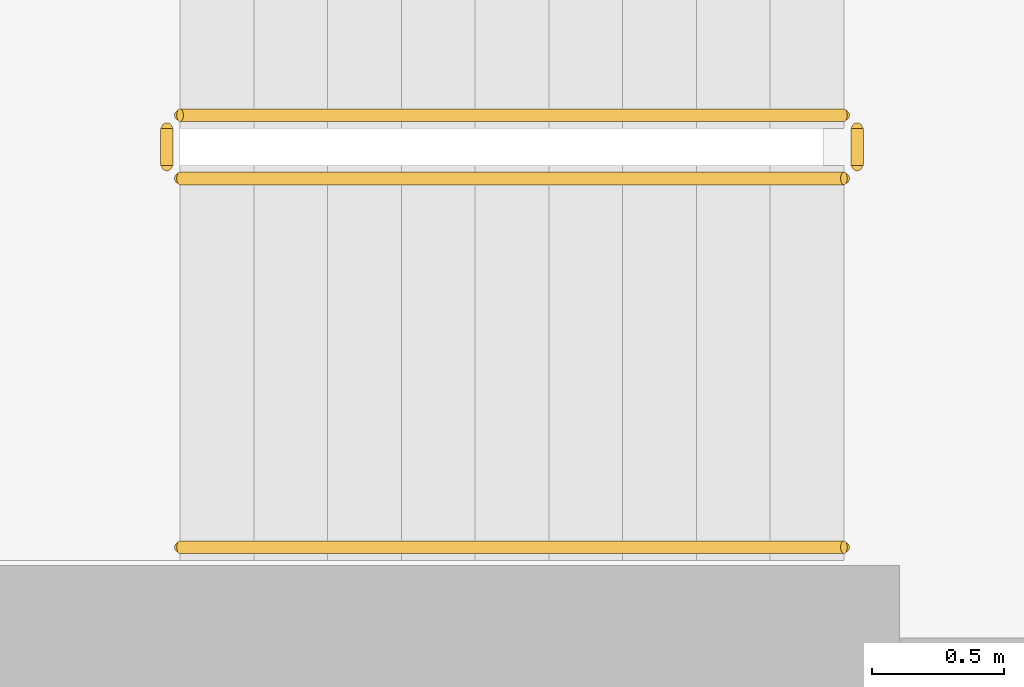
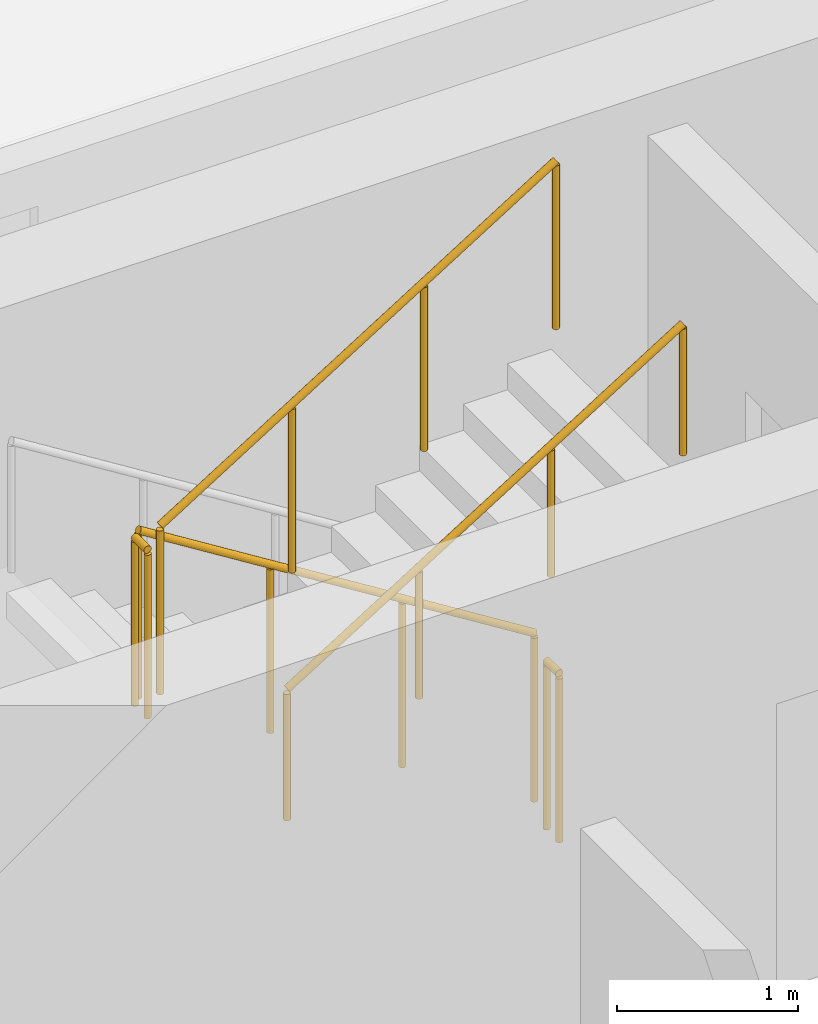
# One storey, part 25 of 27: 5 railings.
"""IFC4 building model written with IfcOpenShell, lengths in metres."""

from ifc_helpers import new_model, si_unit, derived_unit, direction, frame, origin, origin_2d, place, context, subcontext, project, spatial, circle, extrude, material, type_object, element, save


model = new_model("IFC4")

# Units and contexts
model_context = context("Model", 3, precision=1e-05, world=origin(), true_north=direction((0.0, 1.0)))
body_context = subcontext(model_context, "Body", "Model", "MODEL_VIEW")
ifc_project = project(units=[si_unit("LENGTHUNIT", "METRE"), si_unit("AREAUNIT", "SQUARE_METRE"), si_unit("VOLUMEUNIT", "CUBIC_METRE"), si_unit("PLANEANGLEUNIT", "RADIAN"), si_unit("MASSUNIT", "GRAM", prefix="KILO"), derived_unit("THERMALTRANSMITTANCEUNIT", [(si_unit("POWERUNIT", "WATT"), 1), (si_unit("LENGTHUNIT", "METRE"), -2), (si_unit("THERMODYNAMICTEMPERATUREUNIT", "KELVIN"), -1)])], contexts=[model_context])

# Site, building, storey
site_placement = place(None, origin())
site = spatial("IfcSite", under=ifc_project, at=site_placement, CompositionType="ELEMENT")
building_placement = place(site_placement, origin())
building = spatial("IfcBuilding", under=site, at=building_placement, Name="Kivonza Crest Hotel", CompositionType="ELEMENT")
storey_placement = place(building_placement, frame((0.0, 0.0, 34.5)))
storey = spatial("IfcBuildingStorey", under=building, at=storey_placement, Name="L08", CompositionType="ELEMENT", Elevation=34.5)

# Railings
ifc_material_1 = material(Name="Brushed stainless steel handrail", Category="steel")
railing_type_1 = type_object("IfcRailingType", Name="RL-HAND-900", PredefinedType="HANDRAIL", material=ifc_material_1)
railing_1_placement = place(storey_placement, frame((9.719970703125, 33.070068359375, 1.925048828125)))
element("IfcRailing", 1, at=railing_1_placement, inside=storey, type_object=railing_type_1, Name="L08 ST-T1-N stair handrail 2", PredefinedType="HANDRAIL", context=body_context, shape_type="SweptSolid", body=[
    extrude(circle(Radius=0.02392578125, at=origin_2d()), frame((0.0, 0.0, 0.8759765625), z_axis=(0.848007534815, 0.0, 0.529984170421), x_axis=(0.0, 1.0, 0.0)), (0.0, 0.0, 1.0), 2.9716796875),
    extrude(circle(Radius=0.02099609375, at=origin_2d()), origin(), (0.0, 0.0, 1.0), 0.851806640625),
    extrude(circle(Radius=0.02099609375, at=origin_2d()), frame((0.840087890625, 0.0, 0.52490234375)), (0.0, 0.0, 1.0), 0.851806640625),
    extrude(circle(Radius=0.02099609375, at=origin_2d()), frame((1.679931640625, 0.0, 1.050048828125)), (0.0, 0.0, 1.0), 0.851806640625),
    extrude(circle(Radius=0.02099609375, at=origin_2d()), frame((2.52001953125, 0.0, 1.574951171875)), (0.0, 0.0, 1.0), 0.851806640625),
])
ifc_material_2 = material(Name="Painted steel balustrade", Category="steel")
railing_type_2 = type_object("IfcRailingType", Name="RL-STAIR-1150", PredefinedType="BALUSTRADE", material=ifc_material_2)
railing_2_placement = place(storey_placement, frame((12.239990234375, 34.7099609375, 0.175048828125)))
element("IfcRailing", 2, at=railing_2_placement, inside=storey, type_object=railing_type_2, Name="L08 ST-T1-N stair guard 1", PredefinedType="BALUSTRADE", context=body_context, shape_type="SweptSolid", body=[
    extrude(circle(Radius=0.02392578125, at=origin_2d()), frame((0.0, 0.0, 1.1259765625), z_axis=(-0.848007534815, 0.0, 0.529984170421), x_axis=(0.0, -1.0, 0.0)), (0.0, 0.0, 1.0), 2.9716796875),
    extrude(circle(Radius=0.02099609375, at=origin_2d()), origin(), (0.0, 0.0, 1.0), 1.101806640625),
    extrude(circle(Radius=0.02099609375, at=origin_2d()), frame((-0.840087890625, 0.0, 0.52490234375)), (0.0, 0.0, 1.0), 1.101806640625),
    extrude(circle(Radius=0.02099609375, at=origin_2d()), frame((-1.679931640625, 0.0, 1.050048828125)), (0.0, 0.0, 1.0), 1.101806640625),
    extrude(circle(Radius=0.02099609375, at=origin_2d()), frame((-2.52001953125, 0.0, 1.574951171875)), (0.0, 0.0, 1.0), 1.101806640625),
])
railing_3_placement = place(storey_placement, frame((9.669921875, 34.659912109375, 1.75)))
element("IfcRailing", 3, at=railing_3_placement, inside=storey, type_object=railing_type_2, Name="L08 ST-T1-N stair guard 2", PredefinedType="BALUSTRADE", context=body_context, shape_type="SweptSolid", body=[
    extrude(circle(Radius=0.02392578125, at=origin_2d()), frame((0.0, 0.0, 1.1259765625), z_axis=(0.0, -1.0, 0.0), x_axis=(1.0, 0.0, 0.0)), (0.0, 0.0, 1.0), 0.139892578125),
    extrude(circle(Radius=0.02099609375, at=origin_2d()), origin(), (0.0, 0.0, 1.0), 1.101806640625),
    extrude(circle(Radius=0.02099609375, at=origin_2d()), frame((0.0, -0.139892578125, 0.0)), (0.0, 0.0, 1.0), 1.101806640625),
])
railing_4_placement = place(storey_placement, frame((9.719970703125, 34.469970703125, 1.925048828125)))
element("IfcRailing", 4, at=railing_4_placement, inside=storey, type_object=railing_type_2, Name="L08 ST-T1-N stair guard 3", PredefinedType="BALUSTRADE", context=body_context, shape_type="SweptSolid", body=[
    extrude(circle(Radius=0.02392578125, at=origin_2d()), frame((0.0, 0.0, 1.1259765625), z_axis=(0.848007534815, 0.0, 0.529984170421), x_axis=(0.0, 1.0, 0.0)), (0.0, 0.0, 1.0), 2.9716796875),
    extrude(circle(Radius=0.02099609375, at=origin_2d()), origin(), (0.0, 0.0, 1.0), 1.101806640625),
    extrude(circle(Radius=0.02099609375, at=origin_2d()), frame((0.840087890625, 0.0, 0.52490234375)), (0.0, 0.0, 1.0), 1.101806640625),
    extrude(circle(Radius=0.02099609375, at=origin_2d()), frame((1.679931640625, 0.0, 1.050048828125)), (0.0, 0.0, 1.0), 1.101806640625),
    extrude(circle(Radius=0.02099609375, at=origin_2d()), frame((2.52001953125, 0.0, 1.574951171875)), (0.0, 0.0, 1.0), 1.101806640625),
])
railing_5_placement = place(storey_placement, frame((12.2900390625, 34.659912109375, 0.0)))
element("IfcRailing", 5, at=railing_5_placement, inside=storey, type_object=railing_type_2, Name="L08 ST-T1-N stair guard 4", PredefinedType="BALUSTRADE", context=body_context, shape_type="SweptSolid", body=[
    extrude(circle(Radius=0.02392578125, at=origin_2d()), frame((0.0, 0.0, 1.1259765625), z_axis=(0.0, -1.0, 0.0), x_axis=(1.0, 0.0, 0.0)), (0.0, 0.0, 1.0), 0.139892578125),
    extrude(circle(Radius=0.02099609375, at=origin_2d()), origin(), (0.0, 0.0, 1.0), 1.101806640625),
    extrude(circle(Radius=0.02099609375, at=origin_2d()), frame((0.0, -0.139892578125, 0.0)), (0.0, 0.0, 1.0), 1.101806640625),
])

save(model, "model.ifc")
